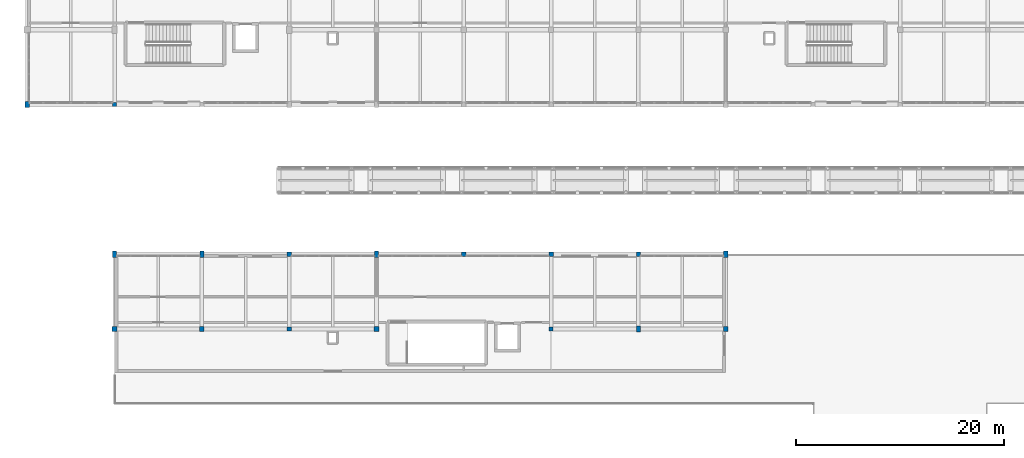
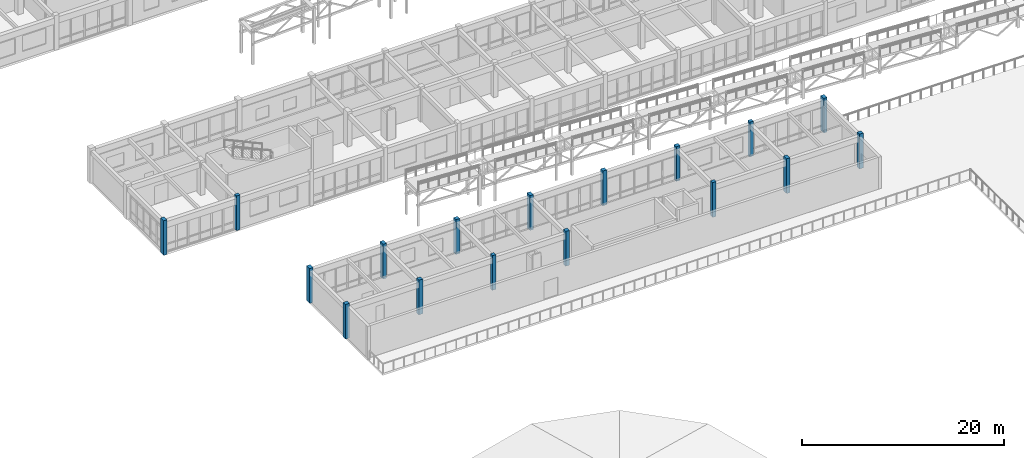
# One storey, part 1 of 89: 17 columns.
"""IFC4 building model written with IfcOpenShell, lengths in metres."""

from ifc_helpers import new_model, si_unit, direction, frame, origin, origin_2d, place, context, subcontext, project, spatial, rectangle, extrude, material, material_profile, profile_set, type_object, element, save


model = new_model("IFC4")

# Units and contexts
model_context = context("Model", 3, precision=1e-05, world=origin(), true_north=direction((0.0, 1.0)))
body_context = subcontext(model_context, "Body", "Model", "MODEL_VIEW")
ifc_project = project(units=[si_unit("LENGTHUNIT", "METRE"), si_unit("AREAUNIT", "SQUARE_METRE"), si_unit("VOLUMEUNIT", "CUBIC_METRE"), si_unit("PLANEANGLEUNIT", "RADIAN"), si_unit("MASSUNIT", "GRAM", prefix="KILO")], contexts=[model_context])

# Site, building, storey
site_placement = place(None, origin())
site = spatial("IfcSite", under=ifc_project, at=site_placement, CompositionType="ELEMENT")
building_placement = place(site_placement, origin())
building = spatial("IfcBuilding", under=site, at=building_placement, Name="Malvenik Polytechnic", CompositionType="ELEMENT")
storey_placement = place(building_placement, frame((0.0, 0.0, 13.5)))
storey = spatial("IfcBuildingStorey", under=building, at=storey_placement, Name="L03", CompositionType="ELEMENT", Elevation=13.5)

# Columns
ifc_material_1 = material(Name="Concrete C35/45", Category="concrete")
ifc_material_profile_1 = material_profile(ifc_material_1, rectangle(XDim=0.449951171875, YDim=0.449951171875, at=origin_2d()), Name="RC COL 450x450")
ifc_profile_set_1 = profile_set([ifc_material_profile_1], Name="Concrete C35/45")
column_type_1 = type_object("IfcColumnType", Name="STR-COL-C-09", PredefinedType="COLUMN", material=ifc_profile_set_1)
for number, where, z_axis, x_axis, name in (
    (1, (8.39990234375, 57.60009765625, 0.0), (0.0, 0.0, 1.0), (1.0, 0.0, 0.0), "Column C-09 L03 (8.4,57.6)"),
    (2, (16.800048828125, 57.60009765625, 0.0), (0.0, 0.0, 1.0), (1.0, 0.0, 0.0), "Column C-09 L03 (16.8,57.6)"),
    (3, (25.199951171875, 64.800048828125, 0.0), (0.0, 0.0, 1.0), (1.0, 0.0, 0.0), "Column C-09 L03 (25.2,64.8)"),
    (4, (33.60009765625, 57.60009765625, 0.0), (0.0, 0.0, 1.0), (1.0, 0.0, 0.0), "Column C-09 L03 (33.6,57.6)"),
    (5, (42.0, 64.800048828125, 0.0), (0.0, 0.0, 1.0), (1.0, 0.0, 0.0), "Column C-09 L03 (42.0,64.8)"),
    (6, (50.39990234375, 64.800048828125, 0.0), (0.0, 0.0, 1.0), (1.0, 0.0, 0.0), "Column C-09 L03 (50.4,64.8)"),
    (7, (67.199951171875, 57.60009765625, 0.0), (0.0, 0.0, 1.0), (1.0, 0.0, 0.0), "Column C-09 L03 (67.2,57.6)"),
):
    element("IfcColumn", number, at=place(storey_placement, frame(where, z_axis=z_axis, x_axis=x_axis)), inside=storey, type_object=column_type_1, Name=name, PredefinedType="COLUMN", context=body_context, shape_type="SweptSolid", body=[
        extrude(rectangle(XDim=0.449951171875, YDim=0.449951171875, at=origin_2d()), origin(), (0.0, 0.0, 1.0), 4.199951171875),
    ])
ifc_material_2 = material(Name="Concrete C30/37", Category="concrete")
ifc_material_profile_2 = material_profile(ifc_material_2, rectangle(XDim=0.39990234375, YDim=0.39990234375, at=origin_2d()), Name="RC COL 400x400")
ifc_profile_set_2 = profile_set([ifc_material_profile_2], Name="Concrete C30/37")
column_type_2 = type_object("IfcColumnType", Name="STR-COL-C-10", PredefinedType="COLUMN", material=ifc_profile_set_2)
for number, where, z_axis, x_axis, name in (
    (8, (8.39990234375, 79.199951171875, 0.0), (0.0, 0.0, 1.0), (1.0, 0.0, 0.0), "Column C-10 L03 (8.4,79.2)"),
    (9, (25.199951171875, 57.60009765625, 0.0), (0.0, 0.0, 1.0), (1.0, 0.0, 0.0), "Column C-10 L03 (25.2,57.6)"),
    (10, (50.39990234375, 57.60009765625, 0.0), (0.0, 0.0, 1.0), (1.0, 0.0, 0.0), "Column C-10 L03 (50.4,57.6)"),
    (11, (58.800048828125, 64.800048828125, 0.0), (0.0, 0.0, 1.0), (1.0, 0.0, 0.0), "Column C-10 L03 (58.8,64.8)"),
):
    element("IfcColumn", number, at=place(storey_placement, frame(where, z_axis=z_axis, x_axis=x_axis)), inside=storey, type_object=column_type_2, Name=name, PredefinedType="COLUMN", context=body_context, shape_type="SweptSolid", body=[
        extrude(rectangle(XDim=0.39990234375, YDim=0.39990234375, at=origin_2d()), origin(), (0.0, 0.0, 1.0), 4.199951171875),
    ])
ifc_material_profile_3 = material_profile(ifc_material_1, rectangle(XDim=0.39990234375, YDim=0.60009765625, at=origin_2d()), Name="RC COL 600x400")
ifc_profile_set_3 = profile_set([ifc_material_profile_3], Name="Concrete C35/45")
column_type_3 = type_object("IfcColumnType", Name="STR-COL-C-15", PredefinedType="COLUMN", material=ifc_profile_set_3)
for number, where, z_axis, x_axis, name in (
    (12, (0.0, 79.199951171875, 0.0), (0.0, 0.0, 1.0), (1.0, 0.0, 0.0), "Column C-15 L03 (0.0,79.2)"),
    (13, (8.39990234375, 64.800048828125, 0.0), (0.0, 0.0, 1.0), (1.0, 0.0, 0.0), "Column C-15 L03 (8.4,64.8)"),
    (14, (16.800048828125, 64.800048828125, 0.0), (0.0, 0.0, 1.0), (1.0, 0.0, 0.0), "Column C-15 L03 (16.8,64.8)"),
    (15, (33.60009765625, 64.800048828125, 0.0), (0.0, 0.0, 1.0), (1.0, 0.0, 0.0), "Column C-15 L03 (33.6,64.8)"),
    (16, (58.800048828125, 57.60009765625, 0.0), (0.0, 0.0, 1.0), (1.0, 0.0, 0.0), "Column C-15 L03 (58.8,57.6)"),
    (17, (67.199951171875, 64.800048828125, 0.0), (0.0, 0.0, 1.0), (1.0, 0.0, 0.0), "Column C-15 L03 (67.2,64.8)"),
):
    element("IfcColumn", number, at=place(storey_placement, frame(where, z_axis=z_axis, x_axis=x_axis)), inside=storey, type_object=column_type_3, Name=name, PredefinedType="COLUMN", context=body_context, shape_type="SweptSolid", body=[
        extrude(rectangle(XDim=0.39990234375, YDim=0.60009765625, at=origin_2d()), origin(), (0.0, 0.0, 1.0), 4.199951171875),
    ])

save(model, "model.ifc")
